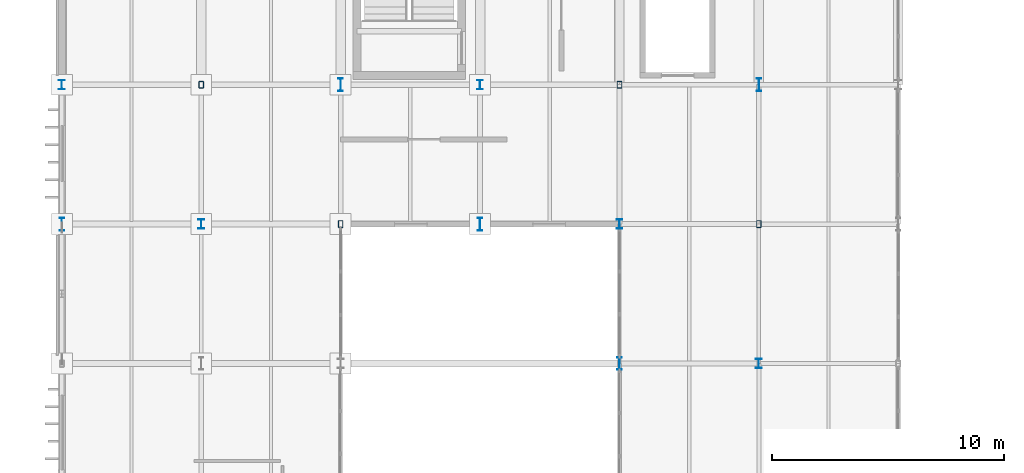
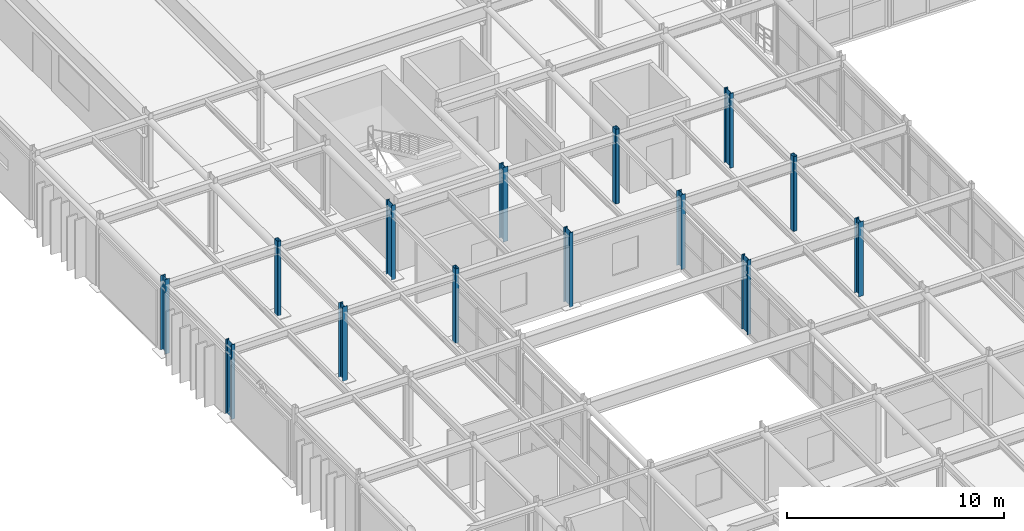
# One storey, part 5 of 116: 14 columns.
"""IFC4 building model written with IfcOpenShell, lengths in metres."""

import ifcopenshell
import ifcopenshell.guid

model = None  # the IFC model being written
_history = None  # IfcOwnerHistory: only IFC2X3 demands one
_inside = {}  # id of a spatial element -> (the spatial element, [elements in it])
_under = {}  # id of a project, library or spatial element -> (it, [spatial elements below it])
_declared = {}  # id of a project -> (the project, [libraries it declares])
_typed = {}  # id of a type object -> (the type object, [elements of that type])
_made_of = {}  # id of a material, layer set ... -> (it, [elements and type objects made of it])


def new_model(schema):
    """Start an empty IFC model of exactly this schema.

    Asked for "IFC4X3", IfcOpenShell would pick the latest addendum, in which some entities
    have other attributes; the version numbers below select the first issue.
    IFC2X3 requires an IfcOwnerHistory on every rooted entity: one is made here for all.
    """
    global model, _history
    if schema == "IFC4X3":
        model = ifcopenshell.file(schema_version=(4, 3, 0, 0))
    else:
        model = ifcopenshell.file(schema=schema)
    _inside.clear()
    _under.clear()
    _declared.clear()
    _typed.clear()
    _made_of.clear()
    _history = None
    if model.schema == "IFC2X3":
        org = make("IfcOrganization", Name="unknown")
        user = make(
            "IfcPersonAndOrganization",
            ThePerson=make("IfcPerson", FamilyName="unknown"),
            TheOrganization=org,
        )
        app = make(
            "IfcApplication",
            ApplicationDeveloper=org,
            Version="unknown",
            ApplicationFullName="unknown",
            ApplicationIdentifier="unknown",
        )
        _history = make(
            "IfcOwnerHistory",
            OwningUser=user,
            OwningApplication=app,
            ChangeAction="ADDED",
            CreationDate=0,
        )
    return model


def make(cls, **values):
    """One entity of the class cls with the attributes given. An attribute that is None is left unset."""
    return model.create_entity(
        cls, **{name: value for name, value in values.items() if value is not None}
    )


def rooted(cls, **values):
    """An entity with a GlobalId (a new one), such as an element, a storey or a relation."""
    return make(cls, GlobalId=ifcopenshell.guid.new(), OwnerHistory=_history, **values)


def si_unit(unit_type, name, prefix=None):
    """IfcSIUnit, for example si_unit("LENGTHUNIT", "METRE", prefix="MILLI")."""
    return make("IfcSIUnit", UnitType=unit_type, Prefix=prefix, Name=name)


def assignment(units):
    """IfcUnitAssignment: the units of a project."""
    return None if units is None else make("IfcUnitAssignment", Units=units)


def point(xyz):
    """IfcCartesianPoint."""
    return None if xyz is None else make("IfcCartesianPoint", Coordinates=xyz)


def direction(xyz):
    """IfcDirection."""
    return None if xyz is None else make("IfcDirection", DirectionRatios=xyz)


def frame(location, z_axis=None, x_axis=None):
    """IfcAxis2Placement3D, a coordinate frame: its origin and axes. An axis left out is left unset."""
    return make(
        "IfcAxis2Placement3D",
        Location=point(location),
        Axis=direction(z_axis),
        RefDirection=direction(x_axis),
    )


def frame_2d(location, x_axis=None):
    """IfcAxis2Placement2D, a coordinate frame in the plane: its origin and x axis."""
    return make(
        "IfcAxis2Placement2D", Location=point(location), RefDirection=direction(x_axis)
    )


def origin():
    """The frame at (0, 0, 0) with its axes left unset."""
    return frame((0.0, 0.0, 0.0))


def origin_2d():
    """The frame at (0, 0) in the plane with its x axis left unset."""
    return frame_2d((0.0, 0.0))


def place(relative_to, where):
    """IfcLocalPlacement: puts the frame where relative to a parent placement (None: the world)."""
    return make(
        "IfcLocalPlacement", PlacementRelTo=relative_to, RelativePlacement=where
    )


def context(
    kind, dimensions, precision=None, world=None, true_north=None, identifier=None
):
    """IfcGeometricRepresentationContext, for example the 3D "Model" context."""
    return make(
        "IfcGeometricRepresentationContext",
        ContextIdentifier=identifier,
        ContextType=kind,
        CoordinateSpaceDimension=dimensions,
        Precision=precision,
        WorldCoordinateSystem=world,
        TrueNorth=true_north,
    )


def subcontext(parent, identifier, kind, view, scale=None):
    """IfcGeometricRepresentationSubContext, for example "Body" below "Model"."""
    return make(
        "IfcGeometricRepresentationSubContext",
        ContextIdentifier=identifier,
        ContextType=kind,
        ParentContext=parent,
        TargetScale=scale,
        TargetView=view,
    )


def project(units=None, contexts=None):
    """IfcProject with its units and contexts."""
    return rooted(
        "IfcProject",
        Name="project",
        RepresentationContexts=contexts,
        UnitsInContext=assignment(units),
    )


def spatial(cls, under=None, at=None, **own):
    """A site, building, storey or space (cls), placed at a placement, below another one or the project."""
    s = rooted(cls, ObjectPlacement=at, **own)
    if under is not None:
        _under.setdefault(under.id(), (under, []))[1].append(s)
    return s


def profile(cls, at=None, kind="AREA", **sizes):
    """A parametric profile (cls). Its sizes go by their IFC names, for example OverallWidth=200.0."""
    return make(cls, ProfileType=kind, Position=at, **sizes)


def hollow_rectangle(**sizes):
    """IfcRectangleHollowProfileDef."""
    return profile("IfcRectangleHollowProfileDef", **sizes)


def i_section(**sizes):
    """IfcIShapeProfileDef."""
    return profile("IfcIShapeProfileDef", **sizes)


def extrude(swept, where, along, depth):
    """IfcExtrudedAreaSolid: the profile swept, set in the frame where, extruded along a direction by depth."""
    return make(
        "IfcExtrudedAreaSolid",
        SweptArea=swept,
        Position=where,
        ExtrudedDirection=direction(along),
        Depth=depth,
    )


def shape(context_of_items, identifier, shape_type, items):
    """IfcShapeRepresentation: the items that make up one representation, for example the "Body"."""
    return make(
        "IfcShapeRepresentation",
        ContextOfItems=context_of_items,
        RepresentationIdentifier=identifier,
        RepresentationType=shape_type,
        Items=items,
    )


def material(Name=None, Category=None):
    """IfcMaterial."""
    return make("IfcMaterial", Name=Name, Category=Category)


def material_profile(
    of_material, cross_section, Name=None, Category=None, Priority=None
):
    """IfcMaterialProfile: a cross section and its material."""
    return make(
        "IfcMaterialProfile",
        Name=Name,
        Material=of_material,
        Profile=cross_section,
        Priority=Priority,
        Category=Category,
    )


def profile_set(profiles, Name=None, composite=None):
    """IfcMaterialProfileSet."""
    return make(
        "IfcMaterialProfileSet",
        Name=Name,
        MaterialProfiles=profiles,
        CompositeProfile=composite,
    )


def made_of(thing, what):
    """Note that an element or type object is made of a material, layer set ...; save() writes the relation."""
    if what is not None:
        _made_of.setdefault(what.id(), (what, []))[1].append(thing)
    return thing


def type_object(cls, material=None, **own):
    """A type object (cls), such as IfcWallType, which elements share."""
    return made_of(rooted(cls, **own), material)


def element(
    cls,
    number,
    at=None,
    inside=None,
    cuts=None,
    type_object=None,
    material=None,
    context=None,
    identifier="Body",
    shape_type=None,
    held_by="IfcProductDefinitionShape",
    body=None,
    shapes=None,
    **own,
):
    """One element of the class cls, such as IfcWall. Its Tag is "e" and its number.

    at: its placement. inside: the storey or other place that contains it. cuts: it is an
    opening in that element (IfcRelVoidsElement). A single representation is given by context,
    identifier, shape_type and body (its items); several are given by shapes. held_by: the class
    of the entity that holds the representations. save() writes the other relations.
    """
    e = rooted(cls, Tag="e%d" % number, ObjectPlacement=at, **own)
    if body is not None:
        shapes = [shape(context, identifier, shape_type, body)]
    if shapes is not None:
        e.Representation = make(held_by, Representations=shapes)
    if inside is not None:
        _inside.setdefault(inside.id(), (inside, []))[1].append(e)
    if cuts is not None:
        rooted(
            "IfcRelVoidsElement", RelatingBuildingElement=cuts, RelatedOpeningElement=e
        )
    if type_object is not None:
        _typed.setdefault(type_object.id(), (type_object, []))[1].append(e)
    return made_of(e, material)


def aggregate(whole, parts):
    """IfcRelAggregates: a whole, such as a stair, and the parts it consists of."""
    return rooted("IfcRelAggregates", RelatingObject=whole, RelatedObjects=parts)


def save(model, path):
    """Write the relations noted so far, then the file.

    IfcRelAggregates (storeys below a building ...), IfcRelContainedInSpatialStructure (elements
    in a storey), IfcRelDefinesByType, IfcRelAssociatesMaterial and IfcRelDeclares: one each for
    every whole, place, type object, material and project.
    """
    for whole, parts in _under.values():
        aggregate(whole, parts)
    for where, things in _inside.values():
        rooted(
            "IfcRelContainedInSpatialStructure",
            RelatedElements=things,
            RelatingStructure=where,
        )
    for kind, things in _typed.values():
        rooted("IfcRelDefinesByType", RelatedObjects=things, RelatingType=kind)
    for what, things in _made_of.values():
        rooted("IfcRelAssociatesMaterial", RelatedObjects=things, RelatingMaterial=what)
    for by, libraries in _declared.values():
        rooted("IfcRelDeclares", RelatingContext=by, RelatedDefinitions=libraries)
    model.write(path)


model = new_model("IFC4")

# Units and contexts
model_context = context("Model", 3, precision=1e-05, world=origin(), true_north=direction((0.0, 1.0)))
body_context = subcontext(model_context, "Body", "Model", "MODEL_VIEW")
ifc_project = project(units=[si_unit("LENGTHUNIT", "METRE"), si_unit("AREAUNIT", "SQUARE_METRE"), si_unit("VOLUMEUNIT", "CUBIC_METRE"), si_unit("PLANEANGLEUNIT", "RADIAN"), si_unit("MASSUNIT", "GRAM", prefix="KILO")], contexts=[model_context])

# Site, building, storey
site_placement = place(None, origin())
site = spatial("IfcSite", under=ifc_project, at=site_placement, CompositionType="ELEMENT")
building_placement = place(site_placement, origin())
building = spatial("IfcBuilding", under=site, at=building_placement, Name="Varnakota Square Police Headquarters", CompositionType="ELEMENT")
storey_placement = place(building_placement, frame((0.0, 0.0, 9.300048828125)))
storey = spatial("IfcBuildingStorey", under=building, at=storey_placement, Name="L02", CompositionType="ELEMENT", Elevation=9.300048828125)

# Columns
ifc_material = material(Name="Steel IS 2062 Grade 350", Category="steel")
ifc_material_profile_1 = material_profile(ifc_material, i_section(OverallWidth=0.25, OverallDepth=0.39990234375, WebThickness=0.010498046875, FlangeThickness=0.0126953125, FilletRadius=0.013916015625, at=origin_2d()), Name="ISHB 400")
ifc_profile_set_1 = profile_set([ifc_material_profile_1], Name="Steel IS 2062 Grade 350")
column_type_1 = type_object("IfcColumnType", Name="COL-ISHB400", PredefinedType="COLUMN", material=ifc_profile_set_1)
for number, where, z_axis, x_axis, name in (
    (1, (6.0, 63.0, 0.0), (0.0, 0.0, 1.0), (1.0, 0.0, 0.0), "Column X0060-Y0630 L02"),
    (2, (12.0, 57.0, 0.0), (0.0, 0.0, 1.0), (1.0, 0.0, 0.0), "Column X0120-Y0570 L02"),
    (3, (24.0, 63.0, 0.0), (0.0, 0.0, 1.0), (1.0, 0.0, 0.0), "Column X0240-Y0630 L02"),
    (4, (30.0, 57.0, 0.0), (0.0, 0.0, 1.0), (1.0, 0.0, 0.0), "Column X0300-Y0570 L02"),
    (5, (36.0, 51.0, 0.0), (0.0, 0.0, 1.0), (1.0, 0.0, 0.0), "Column X0360-Y0510 L02"),
):
    element("IfcColumn", number, at=place(storey_placement, frame(where, z_axis=z_axis, x_axis=x_axis)), inside=storey, type_object=column_type_1, Name=name, PredefinedType="COLUMN", context=body_context, shape_type="SweptSolid", body=[
        extrude(i_section(OverallWidth=0.25, OverallDepth=0.39990234375, WebThickness=0.010498046875, FlangeThickness=0.0126953125, FilletRadius=0.013916015625, at=origin_2d()), origin(), (0.0, 0.0, 1.0), 4.199951171875),
    ])
ifc_material_profile_2 = material_profile(ifc_material, i_section(OverallWidth=0.18994140625, OverallDepth=0.550048828125, WebThickness=0.01123046875, FlangeThickness=0.019287109375, FilletRadius=0.01806640625, at=origin_2d()), Name="ISMB 550")
ifc_profile_set_2 = profile_set([ifc_material_profile_2], Name="Steel IS 2062 Grade 350")
column_type_2 = type_object("IfcColumnType", Name="COL-ISMB550", PredefinedType="COLUMN", material=ifc_profile_set_2)
for number, where, z_axis, x_axis, name in (
    (6, (6.0, 57.0, 0.0), (0.0, 0.0, 1.0), (1.0, 0.0, 0.0), "Column X0060-Y0570 L02"),
    (7, (18.0, 63.0, 0.0), (0.0, 0.0, 1.0), (1.0, 0.0, 0.0), "Column X0180-Y0630 L02"),
    (8, (24.0, 57.0, 0.0), (0.0, 0.0, 1.0), (1.0, 0.0, 0.0), "Column X0240-Y0570 L02"),
    (9, (30.0, 51.0, 0.0), (0.0, 0.0, 1.0), (1.0, 0.0, 0.0), "Column X0300-Y0510 L02"),
    (10, (36.0, 63.0, 0.0), (0.0, 0.0, 1.0), (1.0, 0.0, 0.0), "Column X0360-Y0630 L02"),
):
    element("IfcColumn", number, at=place(storey_placement, frame(where, z_axis=z_axis, x_axis=x_axis)), inside=storey, type_object=column_type_2, Name=name, PredefinedType="COLUMN", context=body_context, shape_type="SweptSolid", body=[
        extrude(i_section(OverallWidth=0.18994140625, OverallDepth=0.550048828125, WebThickness=0.01123046875, FlangeThickness=0.019287109375, FilletRadius=0.01806640625, at=origin_2d()), origin(), (0.0, 0.0, 1.0), 4.199951171875),
    ])
ifc_material_profile_3 = material_profile(ifc_material, hollow_rectangle(XDim=0.199951171875, YDim=0.300048828125, WallThickness=0.011962890625, InnerFilletRadius=0.011962890625, OuterFilletRadius=0.02392578125, at=origin_2d()), Name="RHS 300x200x12")
ifc_profile_set_3 = profile_set([ifc_material_profile_3], Name="Steel IS 2062 Grade 350")
column_type_3 = type_object("IfcColumnType", Name="COL-RHS300", PredefinedType="COLUMN", material=ifc_profile_set_3)
for number, where, z_axis, x_axis, name in (
    (11, (12.0, 63.0, 0.0), (0.0, 0.0, 1.0), (1.0, 0.0, 0.0), "Column X0120-Y0630 L02"),
    (12, (18.0, 57.0, 0.0), (0.0, 0.0, 1.0), (1.0, 0.0, 0.0), "Column X0180-Y0570 L02"),
    (13, (30.0, 63.0, 0.0), (0.0, 0.0, 1.0), (1.0, 0.0, 0.0), "Column X0300-Y0630 L02"),
    (14, (36.0, 57.0, 0.0), (0.0, 0.0, 1.0), (1.0, 0.0, 0.0), "Column X0360-Y0570 L02"),
):
    element("IfcColumn", number, at=place(storey_placement, frame(where, z_axis=z_axis, x_axis=x_axis)), inside=storey, type_object=column_type_3, Name=name, PredefinedType="COLUMN", context=body_context, shape_type="SweptSolid", body=[
        extrude(hollow_rectangle(XDim=0.199951171875, YDim=0.300048828125, WallThickness=0.011962890625, InnerFilletRadius=0.011962890625, OuterFilletRadius=0.02392578125, at=origin_2d()), origin(), (0.0, 0.0, 1.0), 4.199951171875),
    ])

save(model, "model.ifc")
